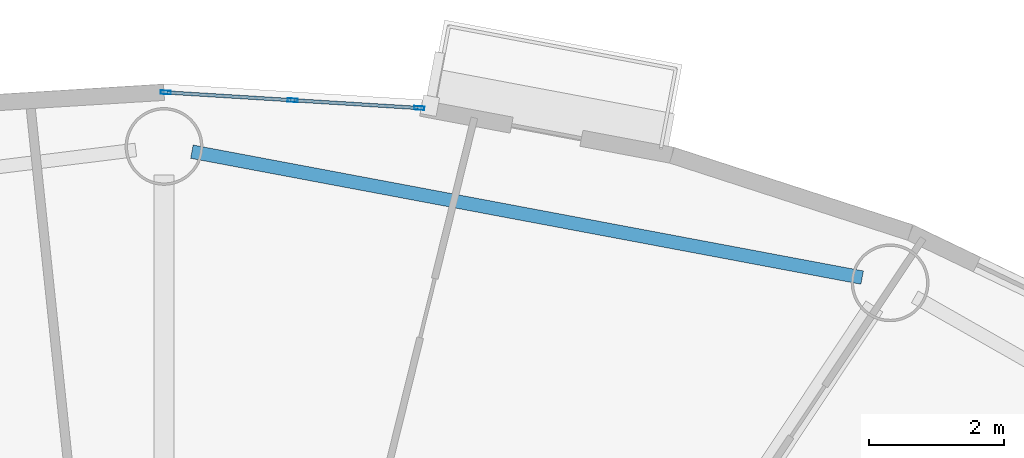
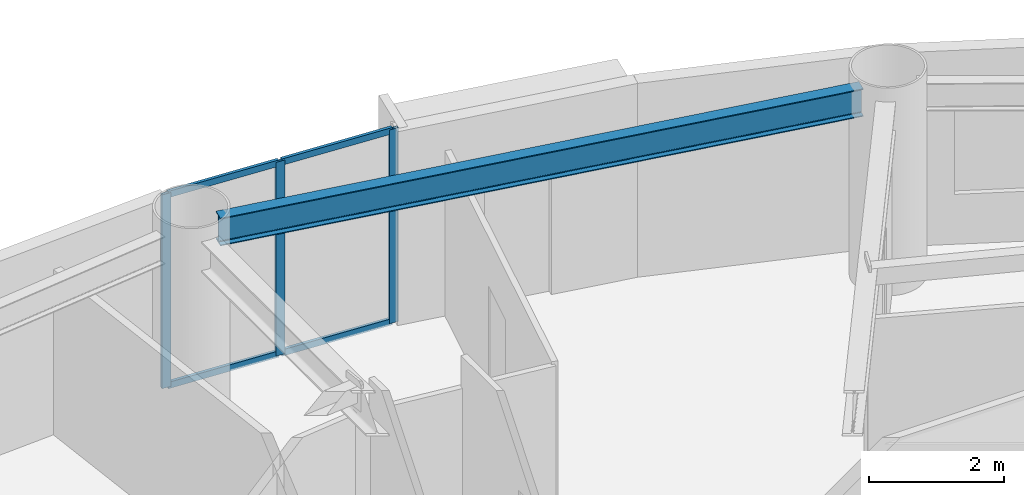
# One storey, part 4 of 20: 7 members, 1 beam, 1 element without a shape of its own.
"""IFC4 building model written with IfcOpenShell, lengths in metres."""

from ifc_helpers import new_model, si_unit, direction, frame, origin, origin_2d, place, context, subcontext, project, spatial, hollow_rectangle, i_section, extrude, source, transform, mapped, material, layer, layer_set, material_profile, profile_set, type_object, element, aggregate, save


model = new_model("IFC4")

# Units and contexts
model_context = context("Model", 3, precision=1e-05, world=origin(), true_north=direction((0.0, 1.0)))
body_context = subcontext(model_context, "Body", "Model", "MODEL_VIEW")
ifc_project = project(units=[si_unit("LENGTHUNIT", "METRE"), si_unit("AREAUNIT", "SQUARE_METRE"), si_unit("VOLUMEUNIT", "CUBIC_METRE"), si_unit("PLANEANGLEUNIT", "RADIAN"), si_unit("MASSUNIT", "GRAM", prefix="KILO")], contexts=[model_context])

# Site, building, storey
site_placement = place(None, origin())
site = spatial("IfcSite", under=ifc_project, at=site_placement, CompositionType="ELEMENT")
building_placement = place(site_placement, origin())
building = spatial("IfcBuilding", under=site, at=building_placement, Name="Linh Dai School and Residence Tower", CompositionType="ELEMENT")
storey_placement = place(building_placement, frame((0.0, 0.0, 232.800048828125)))
storey = spatial("IfcBuildingStorey", under=building, at=storey_placement, Name="L57", CompositionType="ELEMENT", Elevation=232.800048828125)

# Beam
ifc_material_1 = material(Name="Structural Steel S355JR", Category="steel")
ifc_material_profile_1 = material_profile(ifc_material_1, i_section(OverallWidth=0.199951171875, OverallDepth=0.5, WebThickness=0.01025390625, FlangeThickness=0.01611328125, FilletRadius=0.02099609375, at=origin_2d()), Name="IPE 500")
ifc_profile_set_1 = profile_set([ifc_material_profile_1], Name="Structural Steel S355JR")
beam_type = type_object("IfcBeamType", Name="BM-RB50", PredefinedType="BEAM", material=ifc_profile_set_1)
beam_placement = place(storey_placement, frame((46.32177734375, 43.240966796875, 3.25), z_axis=(-0.982806607762, 0.184637947722, 0.0), x_axis=(-0.184637947722, -0.982806607762, 0.0)))
element("IfcBeam", 1, at=beam_placement, inside=storey, type_object=beam_type, Name="L57 Perimeter Elliptical Ring Beam 04", PredefinedType="BEAM", context=body_context, shape_type="SweptSolid", body=[
    extrude(i_section(OverallWidth=0.199951171875, OverallDepth=0.5, WebThickness=0.01025390625, FlangeThickness=0.01611328125, FilletRadius=0.02099609375, at=origin_2d()), origin(), (0.0, 0.0, 1.0), 10.082275390625),
])

# Curtain wall, members
ifc_material_2 = material(Name="Aluminium Anodised Curtain Wall", Category="aluminium")
ifc_layer = layer(ifc_material_2, 0.14990234375)
ifc_layer_set = layer_set([ifc_layer], Name="Aluminium Anodised Curtain Wall")
curtain_wall_type = type_object("IfcCurtainWallType", Name="CW-SYS-4", PredefinedType="USERDEFINED", material=ifc_layer_set)
curtain_wall_placement = place(storey_placement, origin())
curtain_wall = element("IfcCurtainWall", 2, at=curtain_wall_placement, inside=storey, type_object=curtain_wall_type, Name="L57 CW4 Curtain Wall 10", ObjectType="RIBBON CURTAIN WALL", PredefinedType="USERDEFINED")
ifc_material_3 = material(Name="Aluminium Alloy 6063-T6", Category="aluminium")
ifc_material_profile_2 = material_profile(ifc_material_3, hollow_rectangle(XDim=0.052001953125, YDim=0.14990234375, WallThickness=0.00390625, at=origin_2d()), Name="RHS 150x52x4")
ifc_profile_set_2 = profile_set([ifc_material_profile_2], Name="Aluminium Alloy 6063-T6")
member_type_1 = type_object("IfcMemberType", Name="CW-SYS-4-MUL", PredefinedType="MULLION", material=ifc_profile_set_2)
shared_shape_1 = source(origin(), body_context, "Body", "SweptSolid", [
    extrude(hollow_rectangle(XDim=0.052001953125, YDim=0.14990234375, WallThickness=0.00390625, at=origin_2d()), origin(), (0.0, 0.0, 1.0), 3.5),
])
member_1_placement = place(storey_placement, frame((36.02587890625, 45.978515625, 0.0), z_axis=(0.0, 0.0, 1.0), x_axis=(0.061504437922, 0.998106809974, 0.0)))
member_1 = element("IfcMember", 3, at=member_1_placement, type_object=member_type_1, Name="CW4 mullion 1", PredefinedType="MULLION", context=body_context, shape_type="MappedRepresentation", body=[
    mapped(shared_shape_1, transform((0.0, 0.0, 0.0), x_axis=(1.0, 0.0, 0.0), y_axis=(0.0, 1.0, 0.0), z_axis=(0.0, 0.0, 1.0), scale=1.0)),
])
member_2_placement = place(storey_placement, frame((37.90087890625, 45.86279296875, 0.0), z_axis=(0.0, 0.0, 1.0), x_axis=(0.061504437922, 0.998106809974, 0.0)))
member_2 = element("IfcMember", 4, at=member_2_placement, type_object=member_type_1, Name="CW4 mullion 2", PredefinedType="MULLION", context=body_context, shape_type="MappedRepresentation", body=[
    mapped(shared_shape_1, transform((0.0, 0.0, 0.0), x_axis=(1.0, 0.0, 0.0), y_axis=(0.0, 1.0, 0.0), z_axis=(0.0, 0.0, 1.0), scale=1.0)),
])
member_3_placement = place(storey_placement, frame((39.775634765625, 45.747314453125, 0.0), z_axis=(0.0, 0.0, 1.0), x_axis=(0.061504437922, 0.998106809974, 0.0)))
member_3 = element("IfcMember", 5, at=member_3_placement, type_object=member_type_1, Name="CW4 mullion 3", PredefinedType="MULLION", context=body_context, shape_type="MappedRepresentation", body=[
    mapped(shared_shape_1, transform((0.0, 0.0, 0.0), x_axis=(1.0, 0.0, 0.0), y_axis=(0.0, 1.0, 0.0), z_axis=(0.0, 0.0, 1.0), scale=1.0)),
])
ifc_material_profile_3 = material_profile(ifc_material_3, hollow_rectangle(XDim=0.052001953125, YDim=0.114990234375, WallThickness=0.00390625, at=origin_2d()), Name="RHS 115x52x4")
ifc_profile_set_3 = profile_set([ifc_material_profile_3], Name="Aluminium Alloy 6063-T6")
member_type_2 = type_object("IfcMemberType", Name="CW-SYS-4-TRN", PredefinedType="USERDEFINED", material=ifc_profile_set_3)
shared_shape_2 = source(origin(), body_context, "Body", "SweptSolid", [
    extrude(hollow_rectangle(XDim=0.052001953125, YDim=0.114990234375, WallThickness=0.00390625, at=origin_2d()), origin(), (0.0, 0.0, 1.0), 1.826171875),
])
member_4_placement = place(storey_placement, frame((36.052001953125, 45.976806640625, 0.02587890625), z_axis=(0.998107327954, -0.061496031457, 0.0), x_axis=(0.061496031457, 0.998107327954, 0.0)))
member_4 = element("IfcMember", 6, at=member_4_placement, type_object=member_type_2, Name="CW4 transom 1.1", ObjectType="TRANSOM", PredefinedType="USERDEFINED", context=body_context, shape_type="MappedRepresentation", body=[
    mapped(shared_shape_2, transform((0.0, 0.0, 0.0), x_axis=(1.0, 0.0, 0.0), y_axis=(0.0, 1.0, 0.0), z_axis=(0.0, 0.0, 1.0), scale=1.0)),
])
member_5_placement = place(storey_placement, frame((36.052001953125, 45.976806640625, 3.473876953125), z_axis=(0.998107327954, -0.061496031457, 0.0), x_axis=(0.061496031457, 0.998107327954, 0.0)))
member_5 = element("IfcMember", 7, at=member_5_placement, type_object=member_type_2, Name="CW4 transom 1.2", ObjectType="TRANSOM", PredefinedType="USERDEFINED", context=body_context, shape_type="MappedRepresentation", body=[
    mapped(shared_shape_2, transform((0.0, 0.0, 0.0), x_axis=(1.0, 0.0, 0.0), y_axis=(0.0, 1.0, 0.0), z_axis=(0.0, 0.0, 1.0), scale=1.0)),
])
shared_shape_3 = source(origin(), body_context, "Body", "SweptSolid", [
    extrude(hollow_rectangle(XDim=0.052001953125, YDim=0.114990234375, WallThickness=0.00390625, at=origin_2d()), origin(), (0.0, 0.0, 1.0), 1.826416015625),
])
member_6_placement = place(storey_placement, frame((37.9267578125, 45.861328125, 0.02587890625), z_axis=(0.998107833425, -0.061487826888, 0.0), x_axis=(0.061487826888, 0.998107833425, 0.0)))
member_6 = element("IfcMember", 8, at=member_6_placement, type_object=member_type_2, Name="CW4 transom 2.1", ObjectType="TRANSOM", PredefinedType="USERDEFINED", context=body_context, shape_type="MappedRepresentation", body=[
    mapped(shared_shape_3, transform((0.0, 0.0, 0.0), x_axis=(1.0, 0.0, 0.0), y_axis=(0.0, 1.0, 0.0), z_axis=(0.0, 0.0, 1.0), scale=1.0)),
])
member_7_placement = place(storey_placement, frame((37.9267578125, 45.861328125, 3.473876953125), z_axis=(0.998107833425, -0.061487826888, 0.0), x_axis=(0.061487826888, 0.998107833425, 0.0)))
member_7 = element("IfcMember", 9, at=member_7_placement, type_object=member_type_2, Name="CW4 transom 2.2", ObjectType="TRANSOM", PredefinedType="USERDEFINED", context=body_context, shape_type="MappedRepresentation", body=[
    mapped(shared_shape_3, transform((0.0, 0.0, 0.0), x_axis=(1.0, 0.0, 0.0), y_axis=(0.0, 1.0, 0.0), z_axis=(0.0, 0.0, 1.0), scale=1.0)),
])
aggregate(curtain_wall, [member_1, member_2, member_3, member_4, member_5, member_6, member_7])

save(model, "model.ifc")
